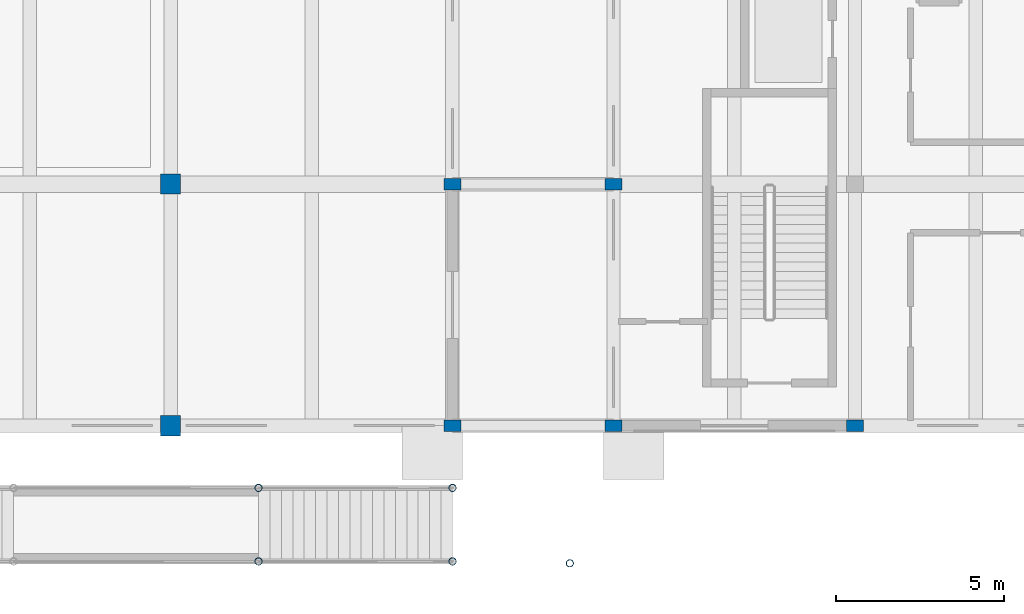
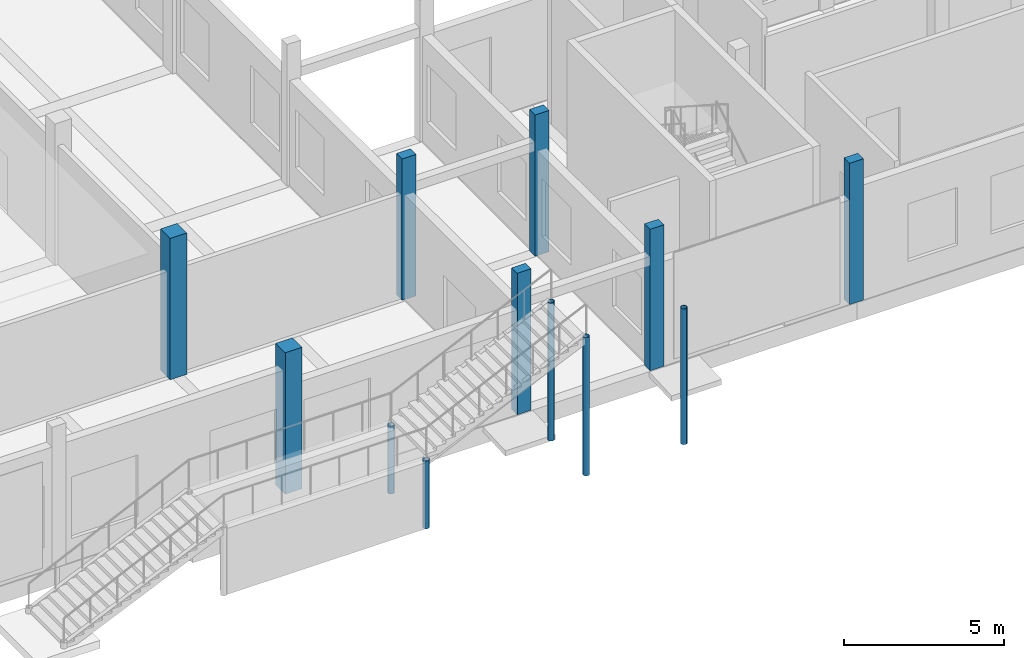
# One storey, part 4 of 41: 12 columns.
"""IFC4 building model written with IfcOpenShell, lengths in metres."""

from ifc_helpers import new_model, si_unit, direction, frame, origin, origin_2d, place, context, subcontext, project, spatial, rectangle, hollow_circle, extrude, material, material_profile, profile_set, type_object, element, save


model = new_model("IFC4")

# Units and contexts
model_context = context("Model", 3, precision=1e-05, world=origin(), true_north=direction((0.0, 1.0)))
body_context = subcontext(model_context, "Body", "Model", "MODEL_VIEW")
ifc_project = project(units=[si_unit("LENGTHUNIT", "METRE"), si_unit("AREAUNIT", "SQUARE_METRE"), si_unit("VOLUMEUNIT", "CUBIC_METRE"), si_unit("PLANEANGLEUNIT", "RADIAN"), si_unit("MASSUNIT", "GRAM", prefix="KILO")], contexts=[model_context])

# Site, building, storey
site_placement = place(None, origin())
site = spatial("IfcSite", under=ifc_project, at=site_placement, CompositionType="ELEMENT")
building_placement = place(site_placement, origin())
building = spatial("IfcBuilding", under=site, at=building_placement, Name="Kahlenmark Community Centre", CompositionType="ELEMENT")
storey_placement = place(building_placement, origin())
storey = spatial("IfcBuildingStorey", under=building, at=storey_placement, Name="L00", CompositionType="ELEMENT", Elevation=0.0)

# Columns
ifc_material_1 = material(Name="Concrete C35/45", Category="concrete")
ifc_material_profile_1 = material_profile(ifc_material_1, rectangle(XDim=0.5, YDim=0.35009765625, at=origin_2d()), Name="RC 500x350")
ifc_profile_set_1 = profile_set([ifc_material_profile_1], Name="Concrete C35/45")
column_type_1 = type_object("IfcColumnType", Name="CT-PIL500", PredefinedType="PILASTER", material=ifc_profile_set_1)
for number, where, z_axis, x_axis, name in (
    (1, (46.0, 8.800048828125, 0.0), (0.0, 0.0, 1.0), (1.0, 0.0, 0.0), "L00 pilaster (46.0, 8.8)"),
    (2, (46.0, 16.0, 0.0), (0.0, 0.0, 1.0), (1.0, 0.0, 0.0), "L00 pilaster (46.0, 16.0)"),
    (3, (50.800048828125, 8.800048828125, 0.0), (0.0, 0.0, 1.0), (1.0, 0.0, 0.0), "L00 pilaster (50.8, 8.8)"),
    (4, (50.800048828125, 16.0, 0.0), (0.0, 0.0, 1.0), (1.0, 0.0, 0.0), "L00 pilaster (50.8, 16.0)"),
    (5, (58.0, 8.800048828125, 0.0), (0.0, 0.0, 1.0), (1.0, 0.0, 0.0), "L00 pilaster (58.0, 8.8)"),
):
    element("IfcColumn", number, at=place(storey_placement, frame(where, z_axis=z_axis, x_axis=x_axis)), inside=storey, type_object=column_type_1, Name=name, PredefinedType="PILASTER", context=body_context, shape_type="SweptSolid", body=[
        extrude(rectangle(XDim=0.5, YDim=0.35009765625, at=origin_2d()), origin(), (0.0, 0.0, 1.0), 5.39990234375),
    ])
ifc_material_profile_2 = material_profile(ifc_material_1, rectangle(XDim=0.60009765625, YDim=0.60009765625, at=origin_2d()), Name="RC 600x600")
ifc_profile_set_2 = profile_set([ifc_material_profile_2], Name="Concrete C35/45")
column_type_2 = type_object("IfcColumnType", Name="CT-RC600", PredefinedType="COLUMN", material=ifc_profile_set_2)
for number, where, z_axis, x_axis, name in (
    (6, (37.60009765625, 8.800048828125, 0.0), (0.0, 0.0, 1.0), (1.0, 0.0, 0.0), "L00 column (37.6, 8.8)"),
    (7, (37.60009765625, 16.0, 0.0), (0.0, 0.0, 1.0), (1.0, 0.0, 0.0), "L00 column (37.6, 16.0)"),
):
    element("IfcColumn", number, at=place(storey_placement, frame(where, z_axis=z_axis, x_axis=x_axis)), inside=storey, type_object=column_type_2, Name=name, PredefinedType="COLUMN", context=body_context, shape_type="SweptSolid", body=[
        extrude(rectangle(XDim=0.60009765625, YDim=0.60009765625, at=origin_2d()), origin(), (0.0, 0.0, 1.0), 5.39990234375),
    ])
ifc_material_2 = material(Name="Steel S355", Category="steel")
ifc_material_profile_3 = material_profile(ifc_material_2, hollow_circle(Radius=0.109619140625, WallThickness=0.010009765625, at=origin_2d()), Name="CHS 219.1x10")
ifc_profile_set_3 = profile_set([ifc_material_profile_3], Name="Steel S355")
column_type_3 = type_object("IfcColumnType", Name="CT-ST09-CHS219", PredefinedType="COLUMN", material=ifc_profile_set_3)
for number, where, z_axis, x_axis, name in (
    (8, (40.219970703125, 4.7548828125, 0.0), (0.0, 0.0, 1.0), (1.0, 0.0, 0.0), "Ceremonial stair pier column L00-5"),
    (9, (40.219970703125, 6.945068359375, 0.0), (0.0, 0.0, 1.0), (1.0, 0.0, 0.0), "Ceremonial stair pier column L00-6"),
):
    element("IfcColumn", number, at=place(storey_placement, frame(where, z_axis=z_axis, x_axis=x_axis)), inside=storey, type_object=column_type_3, Name=name, PredefinedType="COLUMN", context=body_context, shape_type="SweptSolid", body=[
        extrude(hollow_circle(Radius=0.109619140625, WallThickness=0.010009765625, at=origin_2d()), origin(), (0.0, 0.0, 1.0), 2.60009765625),
    ])
for number, where, z_axis, x_axis, name in (
    (10, (46.0, 4.7548828125, 0.0), (0.0, 0.0, 1.0), (1.0, 0.0, 0.0), "Ceremonial stair pier column L00-7"),
    (11, (46.0, 6.945068359375, 0.0), (0.0, 0.0, 1.0), (1.0, 0.0, 0.0), "Ceremonial stair pier column L00-8"),
):
    element("IfcColumn", number, at=place(storey_placement, frame(where, z_axis=z_axis, x_axis=x_axis)), inside=storey, type_object=column_type_3, Name=name, PredefinedType="COLUMN", context=body_context, shape_type="SweptSolid", body=[
        extrude(hollow_circle(Radius=0.109619140625, WallThickness=0.010009765625, at=origin_2d()), origin(), (0.0, 0.0, 1.0), 5.280029296875),
    ])
column_placement = place(storey_placement, frame((49.5, 4.699951171875, 0.0), z_axis=(0.0, 0.0, 1.0), x_axis=(1.0, 0.0, 0.0)))
element("IfcColumn", 12, at=column_placement, inside=storey, type_object=column_type_3, Name="Ceremonial stair pier column L00-9", PredefinedType="COLUMN", context=body_context, shape_type="SweptSolid", body=[
    extrude(hollow_circle(Radius=0.109619140625, WallThickness=0.010009765625, at=origin_2d()), origin(), (0.0, 0.0, 1.0), 5.179931640625),
])

save(model, "model.ifc")
